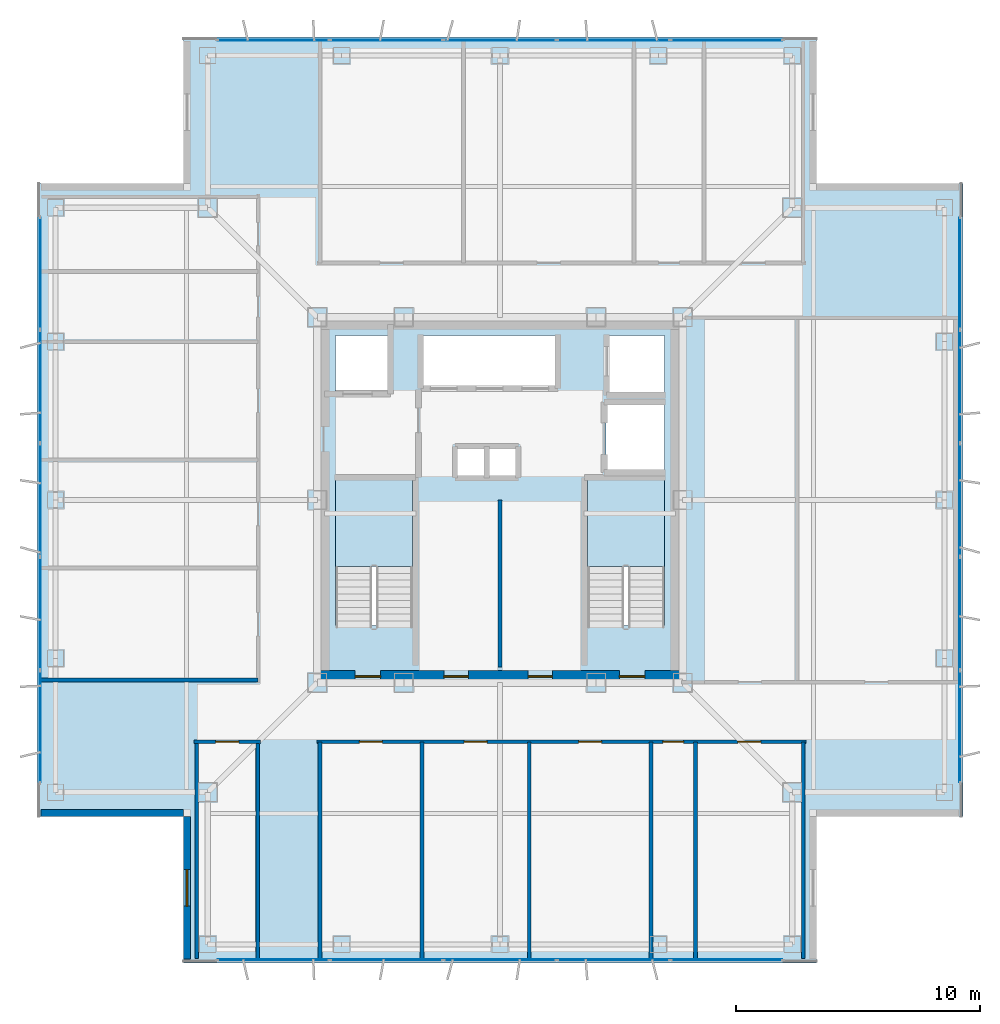
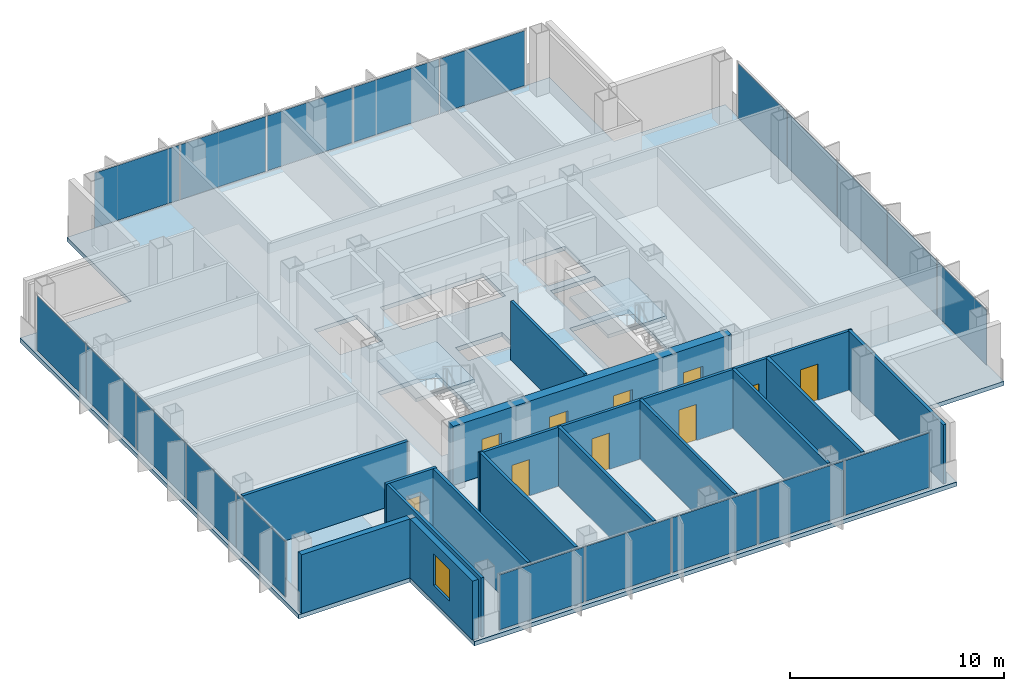
# One storey, part 7 of 15: 20 plates, 15 walls, 10 doors, 3 slabs, 1 window, 11 openings, 6 elements without a shape of their own.
"""IFC4 building model written with IfcOpenShell, lengths in metres."""

from ifc_helpers import new_model, si_unit, direction, frame, frame_2d, origin, origin_2d, place, context, subcontext, project, spatial, polyline, rectangle, outline, extrude, material, layer, layer_set, type_object, element, fill, aggregate, save


model = new_model("IFC4")

# Units and contexts
model_context = context("Model", 3, precision=1e-05, world=origin(), true_north=direction((0.0, 1.0)))
body_context = subcontext(model_context, "Body", "Model", "MODEL_VIEW")
ifc_project = project(units=[si_unit("LENGTHUNIT", "METRE"), si_unit("AREAUNIT", "SQUARE_METRE"), si_unit("VOLUMEUNIT", "CUBIC_METRE"), si_unit("PLANEANGLEUNIT", "RADIAN"), si_unit("MASSUNIT", "GRAM", prefix="KILO")], contexts=[model_context])

# Site, building, storey
site_placement = place(None, origin())
site = spatial("IfcSite", under=ifc_project, at=site_placement, CompositionType="ELEMENT")
building_placement = place(site_placement, origin())
building = spatial("IfcBuilding", under=site, at=building_placement, Name="Trevonay Congress Spire", CompositionType="ELEMENT")
storey_placement = place(building_placement, frame((0.0, 0.0, 239.60009765625)))
storey = spatial("IfcBuildingStorey", under=building, at=storey_placement, Name="L62", CompositionType="ELEMENT", Elevation=239.60009765625)

# Curtain wall, plates
ifc_material_1 = material(Name="Pale Anodised Aluminium EN AW-6063-T6", Category="aluminium")
ifc_layer_1 = layer(ifc_material_1, 0.1650390625, Name="Pale Anodised Aluminium EN AW-6063-T6")
ifc_layer_set_1 = layer_set([ifc_layer_1], Name="Pale Anodised Aluminium EN AW-6063-T6")
curtain_wall_type = type_object("IfcCurtainWallType", Name="CW-SYS05-DIPLOM-PALE-METAL", PredefinedType="NOTDEFINED", material=ifc_layer_set_1)
curtain_wall_1_placement = place(storey_placement, origin())
curtain_wall_1 = element("IfcCurtainWall", 1, at=curtain_wall_1_placement, inside=storey, type_object=curtain_wall_type, Name="L62 S unitised curtain wall", PredefinedType="NOTDEFINED")
ifc_material_2 = material(Name="Insulated Low-E Vision Glass IGU", Category="glass")
ifc_layer_2 = layer(ifc_material_2, 0.035888671875, Name="Insulated Low-E Vision Glass IGU")
ifc_layer_set_2 = layer_set([ifc_layer_2], Name="Insulated Low-E Vision Glass IGU")
plate_type = type_object("IfcPlateType", Name="CW-PANEL-IGU36-SILVER", PredefinedType="CURTAIN_PANEL", material=ifc_layer_set_2)
plate_1_placement = place(storey_placement, frame((-9.304931640625, -18.8798828125, 0.119873046875), z_axis=(0.0, 0.0, 1.0), x_axis=(1.0, 0.0, 0.0)))
plate_1 = element("IfcPlate", 2, at=plate_1_placement, type_object=plate_type, Name="CW05 panel 1.1", PredefinedType="CURTAIN_PANEL", context=body_context, shape_type="SweptSolid", body=[
    extrude(rectangle(XDim=4.570068359375, YDim=0.035888671875, at=origin_2d()), origin(), (0.0, 0.0, 1.0), 3.1201171875),
])
plate_2_placement = place(storey_placement, frame((-4.659912109375, -18.8798828125, 0.119873046875), z_axis=(0.0, 0.0, 1.0), x_axis=(1.0, 0.0, 0.0)))
plate_2 = element("IfcPlate", 3, at=plate_2_placement, type_object=plate_type, Name="CW05 panel 2.1", PredefinedType="CURTAIN_PANEL", context=body_context, shape_type="SweptSolid", body=[
    extrude(rectangle(XDim=4.60009765625, YDim=0.035888671875, at=origin_2d()), origin(), (0.0, 0.0, 1.0), 3.1201171875),
])
plate_3_placement = place(storey_placement, frame((0.0, -18.8798828125, 0.119873046875), z_axis=(0.0, 0.0, 1.0), x_axis=(1.0, 0.0, 0.0)))
plate_3 = element("IfcPlate", 4, at=plate_3_placement, type_object=plate_type, Name="CW05 panel 3.1", PredefinedType="CURTAIN_PANEL", context=body_context, shape_type="SweptSolid", body=[
    extrude(rectangle(XDim=4.60009765625, YDim=0.035888671875, at=origin_2d()), origin(), (0.0, 0.0, 1.0), 3.1201171875),
])
plate_4_placement = place(storey_placement, frame((4.659912109375, -18.8798828125, 0.119873046875), z_axis=(0.0, 0.0, 1.0), x_axis=(1.0, 0.0, 0.0)))
plate_4 = element("IfcPlate", 5, at=plate_4_placement, type_object=plate_type, Name="CW05 panel 4.1", PredefinedType="CURTAIN_PANEL", context=body_context, shape_type="SweptSolid", body=[
    extrude(rectangle(XDim=4.60009765625, YDim=0.035888671875, at=origin_2d()), origin(), (0.0, 0.0, 1.0), 3.1201171875),
])
plate_5_placement = place(storey_placement, frame((9.304931640625, -18.8798828125, 0.119873046875), z_axis=(0.0, 0.0, 1.0), x_axis=(1.0, 0.0, 0.0)))
plate_5 = element("IfcPlate", 6, at=plate_5_placement, type_object=plate_type, Name="CW05 panel 5.1", PredefinedType="CURTAIN_PANEL", context=body_context, shape_type="SweptSolid", body=[
    extrude(rectangle(XDim=4.570068359375, YDim=0.035888671875, at=origin_2d()), origin(), (0.0, 0.0, 1.0), 3.1201171875),
])
aggregate(curtain_wall_1, [plate_1, plate_2, plate_3, plate_4, plate_5])

curtain_wall_2_placement = place(storey_placement, origin())
curtain_wall_2 = element("IfcCurtainWall", 7, at=curtain_wall_2_placement, inside=storey, type_object=curtain_wall_type, Name="L62 N unitised curtain wall", PredefinedType="NOTDEFINED")
plate_6_placement = place(storey_placement, frame((-9.304931640625, 18.8798828125, 0.119873046875), z_axis=(0.0, 0.0, 1.0), x_axis=(1.0, 0.0, 0.0)))
plate_6 = element("IfcPlate", 8, at=plate_6_placement, type_object=plate_type, Name="CW05 panel 1.1", PredefinedType="CURTAIN_PANEL", context=body_context, shape_type="SweptSolid", body=[
    extrude(rectangle(XDim=4.570068359375, YDim=0.035888671875, at=origin_2d()), origin(), (0.0, 0.0, 1.0), 3.1201171875),
])
plate_7_placement = place(storey_placement, frame((-4.659912109375, 18.8798828125, 0.119873046875), z_axis=(0.0, 0.0, 1.0), x_axis=(1.0, 0.0, 0.0)))
plate_7 = element("IfcPlate", 9, at=plate_7_placement, type_object=plate_type, Name="CW05 panel 2.1", PredefinedType="CURTAIN_PANEL", context=body_context, shape_type="SweptSolid", body=[
    extrude(rectangle(XDim=4.60009765625, YDim=0.035888671875, at=origin_2d()), origin(), (0.0, 0.0, 1.0), 3.1201171875),
])
plate_8_placement = place(storey_placement, frame((0.0, 18.8798828125, 0.119873046875), z_axis=(0.0, 0.0, 1.0), x_axis=(1.0, 0.0, 0.0)))
plate_8 = element("IfcPlate", 10, at=plate_8_placement, type_object=plate_type, Name="CW05 panel 3.1", PredefinedType="CURTAIN_PANEL", context=body_context, shape_type="SweptSolid", body=[
    extrude(rectangle(XDim=4.60009765625, YDim=0.035888671875, at=origin_2d()), origin(), (0.0, 0.0, 1.0), 3.1201171875),
])
plate_9_placement = place(storey_placement, frame((4.659912109375, 18.8798828125, 0.119873046875), z_axis=(0.0, 0.0, 1.0), x_axis=(1.0, 0.0, 0.0)))
plate_9 = element("IfcPlate", 11, at=plate_9_placement, type_object=plate_type, Name="CW05 panel 4.1", PredefinedType="CURTAIN_PANEL", context=body_context, shape_type="SweptSolid", body=[
    extrude(rectangle(XDim=4.60009765625, YDim=0.035888671875, at=origin_2d()), origin(), (0.0, 0.0, 1.0), 3.1201171875),
])
plate_10_placement = place(storey_placement, frame((9.304931640625, 18.8798828125, 0.119873046875), z_axis=(0.0, 0.0, 1.0), x_axis=(1.0, 0.0, 0.0)))
plate_10 = element("IfcPlate", 12, at=plate_10_placement, type_object=plate_type, Name="CW05 panel 5.1", PredefinedType="CURTAIN_PANEL", context=body_context, shape_type="SweptSolid", body=[
    extrude(rectangle(XDim=4.570068359375, YDim=0.035888671875, at=origin_2d()), origin(), (0.0, 0.0, 1.0), 3.1201171875),
])
aggregate(curtain_wall_2, [plate_6, plate_7, plate_8, plate_9, plate_10])

curtain_wall_3_placement = place(storey_placement, origin())
curtain_wall_3 = element("IfcCurtainWall", 13, at=curtain_wall_3_placement, inside=storey, type_object=curtain_wall_type, Name="L62 W unitised curtain wall", PredefinedType="NOTDEFINED")
plate_11_placement = place(storey_placement, frame((-18.8798828125, -9.304931640625, 0.119873046875), z_axis=(0.0, 0.0, 1.0), x_axis=(0.0, 1.0, 0.0)))
plate_11 = element("IfcPlate", 14, at=plate_11_placement, type_object=plate_type, Name="CW05 panel 1.1", PredefinedType="CURTAIN_PANEL", context=body_context, shape_type="SweptSolid", body=[
    extrude(rectangle(XDim=4.570068359375, YDim=0.035888671875, at=origin_2d()), origin(), (0.0, 0.0, 1.0), 3.1201171875),
])
plate_12_placement = place(storey_placement, frame((-18.8798828125, -4.659912109375, 0.119873046875), z_axis=(0.0, 0.0, 1.0), x_axis=(0.0, 1.0, 0.0)))
plate_12 = element("IfcPlate", 15, at=plate_12_placement, type_object=plate_type, Name="CW05 panel 2.1", PredefinedType="CURTAIN_PANEL", context=body_context, shape_type="SweptSolid", body=[
    extrude(rectangle(XDim=4.60009765625, YDim=0.035888671875, at=origin_2d()), origin(), (0.0, 0.0, 1.0), 3.1201171875),
])
plate_13_placement = place(storey_placement, frame((-18.8798828125, 0.0, 0.119873046875), z_axis=(0.0, 0.0, 1.0), x_axis=(0.0, 1.0, 0.0)))
plate_13 = element("IfcPlate", 16, at=plate_13_placement, type_object=plate_type, Name="CW05 panel 3.1", PredefinedType="CURTAIN_PANEL", context=body_context, shape_type="SweptSolid", body=[
    extrude(rectangle(XDim=4.60009765625, YDim=0.035888671875, at=origin_2d()), origin(), (0.0, 0.0, 1.0), 3.1201171875),
])
plate_14_placement = place(storey_placement, frame((-18.8798828125, 4.659912109375, 0.119873046875), z_axis=(0.0, 0.0, 1.0), x_axis=(0.0, 1.0, 0.0)))
plate_14 = element("IfcPlate", 17, at=plate_14_placement, type_object=plate_type, Name="CW05 panel 4.1", PredefinedType="CURTAIN_PANEL", context=body_context, shape_type="SweptSolid", body=[
    extrude(rectangle(XDim=4.60009765625, YDim=0.035888671875, at=origin_2d()), origin(), (0.0, 0.0, 1.0), 3.1201171875),
])
plate_15_placement = place(storey_placement, frame((-18.8798828125, 9.304931640625, 0.119873046875), z_axis=(0.0, 0.0, 1.0), x_axis=(0.0, 1.0, 0.0)))
plate_15 = element("IfcPlate", 18, at=plate_15_placement, type_object=plate_type, Name="CW05 panel 5.1", PredefinedType="CURTAIN_PANEL", context=body_context, shape_type="SweptSolid", body=[
    extrude(rectangle(XDim=4.570068359375, YDim=0.035888671875, at=origin_2d()), origin(), (0.0, 0.0, 1.0), 3.1201171875),
])
aggregate(curtain_wall_3, [plate_11, plate_12, plate_13, plate_14, plate_15])

curtain_wall_4_placement = place(storey_placement, origin())
curtain_wall_4 = element("IfcCurtainWall", 19, at=curtain_wall_4_placement, inside=storey, type_object=curtain_wall_type, Name="L62 E unitised curtain wall", PredefinedType="NOTDEFINED")
plate_16_placement = place(storey_placement, frame((18.8798828125, -9.304931640625, 0.119873046875), z_axis=(0.0, 0.0, 1.0), x_axis=(0.0, 1.0, 0.0)))
plate_16 = element("IfcPlate", 20, at=plate_16_placement, type_object=plate_type, Name="CW05 panel 1.1", PredefinedType="CURTAIN_PANEL", context=body_context, shape_type="SweptSolid", body=[
    extrude(rectangle(XDim=4.570068359375, YDim=0.035888671875, at=origin_2d()), origin(), (0.0, 0.0, 1.0), 3.1201171875),
])
plate_17_placement = place(storey_placement, frame((18.8798828125, -4.659912109375, 0.119873046875), z_axis=(0.0, 0.0, 1.0), x_axis=(0.0, 1.0, 0.0)))
plate_17 = element("IfcPlate", 21, at=plate_17_placement, type_object=plate_type, Name="CW05 panel 2.1", PredefinedType="CURTAIN_PANEL", context=body_context, shape_type="SweptSolid", body=[
    extrude(rectangle(XDim=4.60009765625, YDim=0.035888671875, at=origin_2d()), origin(), (0.0, 0.0, 1.0), 3.1201171875),
])
plate_18_placement = place(storey_placement, frame((18.8798828125, 0.0, 0.119873046875), z_axis=(0.0, 0.0, 1.0), x_axis=(0.0, 1.0, 0.0)))
plate_18 = element("IfcPlate", 22, at=plate_18_placement, type_object=plate_type, Name="CW05 panel 3.1", PredefinedType="CURTAIN_PANEL", context=body_context, shape_type="SweptSolid", body=[
    extrude(rectangle(XDim=4.60009765625, YDim=0.035888671875, at=origin_2d()), origin(), (0.0, 0.0, 1.0), 3.1201171875),
])
plate_19_placement = place(storey_placement, frame((18.8798828125, 4.659912109375, 0.119873046875), z_axis=(0.0, 0.0, 1.0), x_axis=(0.0, 1.0, 0.0)))
plate_19 = element("IfcPlate", 23, at=plate_19_placement, type_object=plate_type, Name="CW05 panel 4.1", PredefinedType="CURTAIN_PANEL", context=body_context, shape_type="SweptSolid", body=[
    extrude(rectangle(XDim=4.60009765625, YDim=0.035888671875, at=origin_2d()), origin(), (0.0, 0.0, 1.0), 3.1201171875),
])
plate_20_placement = place(storey_placement, frame((18.8798828125, 9.304931640625, 0.119873046875), z_axis=(0.0, 0.0, 1.0), x_axis=(0.0, 1.0, 0.0)))
plate_20 = element("IfcPlate", 24, at=plate_20_placement, type_object=plate_type, Name="CW05 panel 5.1", PredefinedType="CURTAIN_PANEL", context=body_context, shape_type="SweptSolid", body=[
    extrude(rectangle(XDim=4.570068359375, YDim=0.035888671875, at=origin_2d()), origin(), (0.0, 0.0, 1.0), 3.1201171875),
])
aggregate(curtain_wall_4, [plate_16, plate_17, plate_18, plate_19, plate_20])

# Stair, slab
ifc_material_3 = material(Name="Concrete C40/50", Category="concrete")
stair_type_1 = type_object("IfcStairType", Name="STR-ST-1", PredefinedType="HALF_TURN_STAIR", material=ifc_material_3)
stair_1_placement = place(storey_placement, origin())
stair_1 = element("IfcStair", 25, at=stair_1_placement, inside=storey, type_object=stair_type_1, Name="L62 Protected Exit Stair ST-1", PredefinedType="HALF_TURN_STAIR")
ifc_layer_3 = layer(ifc_material_3, 0.199951171875, Name="Concrete C40/50")
ifc_layer_set_3 = layer_set([ifc_layer_3], Name="Concrete C40/50")
slab_type_1 = type_object("IfcSlabType", Name="SLB-STAIR-LAND-200", PredefinedType="LANDING", material=ifc_layer_set_3)
slab_1_placement = place(storey_placement, frame((0.0, 0.0, 1.599853515625)))
slab_1 = element("IfcSlab", 26, at=slab_1_placement, type_object=slab_type_1, Name="ST-1 landing 1", PredefinedType="LANDING", context=body_context, shape_type="SweptSolid", body=[
    extrude(outline(polyline([(-3.60009765625, -2.72998046875), (-3.60009765625, 0.85009765625), (-6.75, 0.85009765625), (-6.75, -2.72998046875), (-3.60009765625, -2.72998046875)])), origin(), (0.0, 0.0, 1.0), 0.199951171875),
])
aggregate(stair_1, [slab_1])

stair_type_2 = type_object("IfcStairType", Name="STR-ST-2", PredefinedType="HALF_TURN_STAIR", material=ifc_material_3)
stair_2_placement = place(storey_placement, origin())
stair_2 = element("IfcStair", 27, at=stair_2_placement, inside=storey, type_object=stair_type_2, Name="L62 Protected Exit Stair ST-2", PredefinedType="HALF_TURN_STAIR")
slab_2_placement = place(storey_placement, frame((0.0, 0.0, 1.599853515625)))
slab_2 = element("IfcSlab", 28, at=slab_2_placement, type_object=slab_type_1, Name="ST-2 landing 1", PredefinedType="LANDING", context=body_context, shape_type="SweptSolid", body=[
    extrude(outline(polyline([(6.75, -2.72998046875), (6.75, 0.85009765625), (3.60009765625, 0.85009765625), (3.60009765625, -2.72998046875), (6.75, -2.72998046875)])), origin(), (0.0, 0.0, 1.0), 0.199951171875),
])
aggregate(stair_2, [slab_2])

# Slab
ifc_layer_4 = layer(ifc_material_3, 0.239990234375, Name="Concrete C40/50")
ifc_layer_set_4 = layer_set([ifc_layer_4], Name="Concrete C40/50")
slab_type_2 = type_object("IfcSlabType", Name="SLB-TOW2-240", PredefinedType="FLOOR", material=ifc_layer_set_4)
slab_3_placement = place(storey_placement, frame((0.0, 0.0, -0.239990234375)))
element("IfcSlab", 29, at=slab_3_placement, inside=storey, type_object=slab_type_2, Name="L62 structural floor slab", PredefinedType="FLOOR", context=body_context, shape_type="SweptSolid", body=[
    extrude(outline(polyline([(-13.0, -19.0), (13.0, -19.0), (13.0, -13.0), (19.0, -13.0), (19.0, 13.0), (13.0, 13.0), (13.0, 19.0), (-13.0, 19.0), (-13.0, 13.0), (-19.0, 13.0), (-19.0, -13.0), (-13.0, -13.0), (-13.0, -19.0)]), holes=[polyline([(-3.60009765625, -5.14990234375), (-3.60009765625, 0.85009765625), (-6.75, 0.85009765625), (-6.75, -5.14990234375), (-3.60009765625, -5.14990234375)]), polyline([(6.75, -5.14990234375), (6.75, 0.85009765625), (3.60009765625, 0.85009765625), (3.60009765625, -5.14990234375), (6.75, -5.14990234375)]), polyline([(-3.199951171875, 4.64990234375), (2.340087890625, 4.64990234375), (2.340087890625, 6.75), (-3.199951171875, 6.75), (-3.199951171875, 4.64990234375)]), polyline([(-6.75, 4.35009765625), (-4.449951171875, 4.35009765625), (-4.449951171875, 6.75), (-6.75, 6.75), (-6.75, 4.35009765625)]), polyline([(4.449951171875, 4.35009765625), (6.75, 4.35009765625), (6.75, 6.75), (4.449951171875, 6.75), (4.449951171875, 4.35009765625)]), polyline([(4.35009765625, 1.199951171875), (6.75, 1.199951171875), (6.75, 3.949951171875), (4.35009765625, 3.949951171875), (4.35009765625, 1.199951171875)]), polyline([(-1.800048828125, 0.949951171875), (0.699951171875, 0.949951171875), (0.699951171875, 2.14990234375), (-1.800048828125, 2.14990234375), (-1.800048828125, 0.949951171875)])]), origin(), (0.0, 0.0, 1.0), 0.239990234375),
])

# Wall, openings, doors
ifc_material_4 = material(Name="Concrete C50/60", Category="concrete")
ifc_layer_5 = layer(ifc_material_4, 0.5, Name="Concrete C50/60")
ifc_layer_set_5 = layer_set([ifc_layer_5], Name="Concrete C50/60")
wall_type_1 = type_object("IfcWallType", Name="WAL-CORE-500", PredefinedType="SHEAR", material=ifc_layer_set_5)
wall_1_placement = place(storey_placement, frame((-7.5, -7.25, 0.0), z_axis=(0.0, 0.0, 1.0), x_axis=(1.0, 0.0, 0.0)))
wall_1 = element("IfcWall", 30, at=wall_1_placement, inside=storey, type_object=wall_type_1, Name="L62 South structural core shear wall", PredefinedType="SHEAR", context=body_context, shape_type="SweptSolid", body=[
    extrude(rectangle(XDim=15.0, YDim=0.5, at=frame_2d((7.5, 0.0))), origin(), (0.0, 0.0, 1.0), 3.35986328125),
])
opening_1_placement = place(wall_1_placement, frame((1.550048828125, 0.0, 0.0)))
opening_1 = element("IfcOpeningElement", 31, at=opening_1_placement, cuts=wall_1, Name="Opening D05", PredefinedType="OPENING", context=body_context, shape_type="SweptSolid", body=[
    extrude(rectangle(XDim=1.050048828125, YDim=2.080078125, at=frame_2d((0.52490234375, 1.0400390625))), frame((0.0, 0.260009765625, 0.0), z_axis=(0.0, -1.0, 0.0), x_axis=(1.0, 0.0, 0.0)), (0.0, 0.0, 1.0), 0.52001953125),
])
opening_2_placement = place(wall_1_placement, frame((12.39990234375, 0.0, 0.0)))
opening_2 = element("IfcOpeningElement", 32, at=opening_2_placement, cuts=wall_1, Name="Opening D05", PredefinedType="OPENING", context=body_context, shape_type="SweptSolid", body=[
    extrude(rectangle(XDim=1.050048828125, YDim=2.080078125, at=frame_2d((0.52490234375, 1.0400390625))), frame((0.0, 0.260009765625, 0.0), z_axis=(0.0, -1.0, 0.0), x_axis=(1.0, 0.0, 0.0)), (0.0, 0.0, 1.0), 0.52001953125),
])
opening_3_placement = place(wall_1_placement, frame((5.199951171875, 0.0, 0.0)))
opening_3 = element("IfcOpeningElement", 33, at=opening_3_placement, cuts=wall_1, Name="Opening D06", PredefinedType="OPENING", context=body_context, shape_type="SweptSolid", body=[
    extrude(rectangle(XDim=1.0, YDim=2.080078125, at=frame_2d((0.5, 1.0400390625))), frame((0.0, 0.260009765625, 0.0), z_axis=(0.0, -1.0, 0.0), x_axis=(1.0, 0.0, 0.0)), (0.0, 0.0, 1.0), 0.52001953125),
])
opening_4_placement = place(wall_1_placement, frame((8.64990234375, 0.0, 0.0)))
opening_4 = element("IfcOpeningElement", 34, at=opening_4_placement, cuts=wall_1, Name="Opening D06", PredefinedType="OPENING", context=body_context, shape_type="SweptSolid", body=[
    extrude(rectangle(XDim=1.0, YDim=2.080078125, at=frame_2d((0.5, 1.0400390625))), frame((0.0, 0.260009765625, 0.0), z_axis=(0.0, -1.0, 0.0), x_axis=(1.0, 0.0, 0.0)), (0.0, 0.0, 1.0), 0.52001953125),
])
ifc_material_5 = material(Name="Steel ASTM A572 Grade 50", Category="steel")
door_type_1 = type_object("IfcDoorType", Name="DOR-FIRE-100", OperationType="NOTDEFINED", PredefinedType="DOOR", material=ifc_material_5)
door_1_placement = place(opening_3_placement, origin())
door_1 = element("IfcDoor", 35, at=door_1_placement, inside=storey, type_object=door_type_1, Name="L62 South Core Room 1 Door", OperationType="SINGLE_SWING_RIGHT", OverallHeight=2.080078125, OverallWidth=1.0, PredefinedType="DOOR", context=body_context, shape_type="SweptSolid", body=[
    extrude(rectangle(XDim=1.0, YDim=2.080078125, at=frame_2d((0.5, 1.0400390625))), frame((0.0, 0.02490234375, 0.0), z_axis=(0.0, -1.0, 0.0), x_axis=(1.0, 0.0, 0.0)), (0.0, 0.0, 1.0), 0.050048828125),
])
fill(opening_3, door_1)
door_2_placement = place(opening_4_placement, origin())
door_2 = element("IfcDoor", 36, at=door_2_placement, inside=storey, type_object=door_type_1, Name="L62 South Core Room 2 Door", OperationType="SINGLE_SWING_LEFT", OverallHeight=2.080078125, OverallWidth=1.0, PredefinedType="DOOR", context=body_context, shape_type="SweptSolid", body=[
    extrude(rectangle(XDim=1.0, YDim=2.080078125, at=frame_2d((0.5, 1.0400390625))), frame((0.0, 0.02490234375, 0.0), z_axis=(0.0, -1.0, 0.0), x_axis=(1.0, 0.0, 0.0)), (0.0, 0.0, 1.0), 0.050048828125),
])
fill(opening_4, door_2)
door_type_2 = type_object("IfcDoorType", Name="DOR-STAIR-110", OperationType="NOTDEFINED", PredefinedType="DOOR", material=ifc_material_5)
door_3_placement = place(opening_1_placement, origin())
door_3 = element("IfcDoor", 37, at=door_3_placement, inside=storey, type_object=door_type_2, Name="L62 Protected Stair ST-1 Door", OperationType="SINGLE_SWING_LEFT", OverallHeight=2.080078125, OverallWidth=1.050048828125, PredefinedType="DOOR", context=body_context, shape_type="SweptSolid", body=[
    extrude(rectangle(XDim=1.050048828125, YDim=2.080078125, at=frame_2d((0.52490234375, 1.0400390625))), frame((0.0, 0.02490234375, 0.0), z_axis=(0.0, -1.0, 0.0), x_axis=(1.0, 0.0, 0.0)), (0.0, 0.0, 1.0), 0.050048828125),
])
fill(opening_1, door_3)
door_4_placement = place(opening_2_placement, origin())
door_4 = element("IfcDoor", 38, at=door_4_placement, inside=storey, type_object=door_type_2, Name="L62 Protected Stair ST-2 Door", OperationType="SINGLE_SWING_RIGHT", OverallHeight=2.080078125, OverallWidth=1.050048828125, PredefinedType="DOOR", context=body_context, shape_type="SweptSolid", body=[
    extrude(rectangle(XDim=1.050048828125, YDim=2.080078125, at=frame_2d((0.52490234375, 1.0400390625))), frame((0.0, 0.02490234375, 0.0), z_axis=(0.0, -1.0, 0.0), x_axis=(1.0, 0.0, 0.0)), (0.0, 0.0, 1.0), 0.050048828125),
])
fill(opening_2, door_4)

# Wall, opening, door
ifc_layer_6 = layer(ifc_material_3, 0.14990234375, Name="Concrete C40/50")
ifc_layer_set_6 = layer_set([ifc_layer_6], Name="Concrete C40/50")
wall_type_2 = type_object("IfcWallType", Name="WAL-CORR-150", PredefinedType="PARTITIONING", material=ifc_layer_set_6)
wall_2_placement = place(storey_placement, frame((-12.570068359375, -9.929931640625, 0.0), z_axis=(0.0, 0.0, 1.0), x_axis=(1.0, 0.0, 0.0)))
wall_2 = element("IfcWall", 39, at=wall_2_placement, inside=storey, type_object=wall_type_2, Name="L62 interior wall WP-L62SW-COR", PredefinedType="PARTITIONING", context=body_context, shape_type="SweptSolid", body=[
    extrude(rectangle(XDim=2.739990234375, YDim=0.14990234375, at=frame_2d((1.3701171875, 0.0))), origin(), (0.0, 0.0, 1.0), 3.35986328125),
])
opening_5_placement = place(wall_2_placement, frame((0.89501953125, 0.0, 0.0)))
opening_5 = element("IfcOpeningElement", 40, at=opening_5_placement, cuts=wall_2, Name="Opening D07", PredefinedType="OPENING", context=body_context, shape_type="SweptSolid", body=[
    extrude(rectangle(XDim=0.949951171875, YDim=2.06005859375, at=frame_2d((0.47509765625, 1.030029296875))), frame((0.0, 0.0849609375, 0.0), z_axis=(0.0, -1.0, 0.0), x_axis=(1.0, 0.0, 0.0)), (0.0, 0.0, 1.0), 0.169921875),
])
door_type_3 = type_object("IfcDoorType", Name="DOR-OFFICE-95", OperationType="NOTDEFINED", PredefinedType="DOOR", material=ifc_material_1)
door_5_placement = place(opening_5_placement, origin())
door_5 = element("IfcDoor", 41, at=door_5_placement, inside=storey, type_object=door_type_3, Name="L62 Ambassador Corner Office Door", OperationType="SINGLE_SWING_LEFT", OverallHeight=2.06005859375, OverallWidth=0.949951171875, PredefinedType="DOOR", context=body_context, shape_type="SweptSolid", body=[
    extrude(rectangle(XDim=0.949951171875, YDim=2.06005859375, at=frame_2d((0.47509765625, 1.030029296875))), frame((0.0, 0.02490234375, 0.0), z_axis=(0.0, -1.0, 0.0), x_axis=(1.0, 0.0, 0.0)), (0.0, 0.0, 1.0), 0.050048828125),
])
fill(opening_5, door_5)

# Wall, openings, doors
wall_3_placement = place(storey_placement, frame((-7.52001953125, -9.929931640625, 0.0), z_axis=(0.0, 0.0, 1.0), x_axis=(1.0, 0.0, 0.0)))
wall_3 = element("IfcWall", 42, at=wall_3_placement, inside=storey, type_object=wall_type_2, Name="L62 interior wall WP-L62SE-COR", PredefinedType="PARTITIONING", context=body_context, shape_type="SweptSolid", body=[
    extrude(rectangle(XDim=20.090087890625, YDim=0.14990234375, at=frame_2d((10.044921875, 0.0))), origin(), (0.0, 0.0, 1.0), 3.35986328125),
])
opening_6_placement = place(wall_3_placement, frame((1.7451171875, 0.0, 0.0)))
opening_6 = element("IfcOpeningElement", 43, at=opening_6_placement, cuts=wall_3, Name="Opening D07", PredefinedType="OPENING", context=body_context, shape_type="SweptSolid", body=[
    extrude(rectangle(XDim=0.949951171875, YDim=2.06005859375, at=frame_2d((0.47509765625, 1.030029296875))), frame((0.0, 0.0849609375, 0.0), z_axis=(0.0, -1.0, 0.0), x_axis=(1.0, 0.0, 0.0)), (0.0, 0.0, 1.0), 0.169921875),
])
opening_7_placement = place(wall_3_placement, frame((6.044921875, 0.0, 0.0)))
opening_7 = element("IfcOpeningElement", 44, at=opening_7_placement, cuts=wall_3, Name="Opening D07", PredefinedType="OPENING", context=body_context, shape_type="SweptSolid", body=[
    extrude(rectangle(XDim=0.949951171875, YDim=2.06005859375, at=frame_2d((0.47509765625, 1.030029296875))), frame((0.0, 0.0849609375, 0.0), z_axis=(0.0, -1.0, 0.0), x_axis=(1.0, 0.0, 0.0)), (0.0, 0.0, 1.0), 0.169921875),
])
opening_8_placement = place(wall_3_placement, frame((10.7451171875, 0.0, 0.0)))
opening_8 = element("IfcOpeningElement", 45, at=opening_8_placement, cuts=wall_3, Name="Opening D07", PredefinedType="OPENING", context=body_context, shape_type="SweptSolid", body=[
    extrude(rectangle(XDim=0.949951171875, YDim=2.06005859375, at=frame_2d((0.47509765625, 1.030029296875))), frame((0.0, 0.0849609375, 0.0), z_axis=(0.0, -1.0, 0.0), x_axis=(1.0, 0.0, 0.0)), (0.0, 0.0, 1.0), 0.169921875),
])
opening_9_placement = place(wall_3_placement, frame((14.2099609375, 0.0, 0.0)))
opening_9 = element("IfcOpeningElement", 46, at=opening_9_placement, cuts=wall_3, Name="Opening D10", PredefinedType="OPENING", context=body_context, shape_type="SweptSolid", body=[
    extrude(rectangle(XDim=0.85009765625, YDim=2.050048828125, at=frame_2d((0.425048828125, 1.02490234375))), frame((0.0, 0.0849609375, 0.0), z_axis=(0.0, -1.0, 0.0), x_axis=(1.0, 0.0, 0.0)), (0.0, 0.0, 1.0), 0.169921875),
])
opening_10_placement = place(wall_3_placement, frame((17.284912109375, 0.0, 0.0)))
opening_10 = element("IfcOpeningElement", 47, at=opening_10_placement, cuts=wall_3, Name="Opening D07", PredefinedType="OPENING", context=body_context, shape_type="SweptSolid", body=[
    extrude(rectangle(XDim=0.949951171875, YDim=2.06005859375, at=frame_2d((0.47509765625, 1.030029296875))), frame((0.0, 0.0849609375, 0.0), z_axis=(0.0, -1.0, 0.0), x_axis=(1.0, 0.0, 0.0)), (0.0, 0.0, 1.0), 0.169921875),
])
door_6_placement = place(opening_6_placement, origin())
door_6 = element("IfcDoor", 48, at=door_6_placement, inside=storey, type_object=door_type_3, Name="L62 Consular Visa Office Door", OperationType="SINGLE_SWING_RIGHT", OverallHeight=2.06005859375, OverallWidth=0.949951171875, PredefinedType="DOOR", context=body_context, shape_type="SweptSolid", body=[
    extrude(rectangle(XDim=0.949951171875, YDim=2.06005859375, at=frame_2d((0.47509765625, 1.030029296875))), frame((0.0, 0.02490234375, 0.0), z_axis=(0.0, -1.0, 0.0), x_axis=(1.0, 0.0, 0.0)), (0.0, 0.0, 1.0), 0.050048828125),
])
fill(opening_6, door_6)
door_7_placement = place(opening_7_placement, origin())
door_7 = element("IfcDoor", 49, at=door_7_placement, inside=storey, type_object=door_type_3, Name="L62 Political Chancery Office Door", OperationType="SINGLE_SWING_LEFT", OverallHeight=2.06005859375, OverallWidth=0.949951171875, PredefinedType="DOOR", context=body_context, shape_type="SweptSolid", body=[
    extrude(rectangle(XDim=0.949951171875, YDim=2.06005859375, at=frame_2d((0.47509765625, 1.030029296875))), frame((0.0, 0.02490234375, 0.0), z_axis=(0.0, -1.0, 0.0), x_axis=(1.0, 0.0, 0.0)), (0.0, 0.0, 1.0), 0.050048828125),
])
fill(opening_7, door_7)
door_8_placement = place(opening_8_placement, origin())
door_8 = element("IfcDoor", 50, at=door_8_placement, inside=storey, type_object=door_type_3, Name="L62 Economic Attache Office Door", OperationType="SINGLE_SWING_RIGHT", OverallHeight=2.06005859375, OverallWidth=0.949951171875, PredefinedType="DOOR", context=body_context, shape_type="SweptSolid", body=[
    extrude(rectangle(XDim=0.949951171875, YDim=2.06005859375, at=frame_2d((0.47509765625, 1.030029296875))), frame((0.0, 0.02490234375, 0.0), z_axis=(0.0, -1.0, 0.0), x_axis=(1.0, 0.0, 0.0)), (0.0, 0.0, 1.0), 0.050048828125),
])
fill(opening_8, door_8)
door_9_placement = place(opening_10_placement, origin())
door_9 = element("IfcDoor", 51, at=door_9_placement, inside=storey, type_object=door_type_3, Name="L62 Floor Supplies and Copy Room Door", OperationType="SINGLE_SWING_RIGHT", OverallHeight=2.06005859375, OverallWidth=0.949951171875, PredefinedType="DOOR", context=body_context, shape_type="SweptSolid", body=[
    extrude(rectangle(XDim=0.949951171875, YDim=2.06005859375, at=frame_2d((0.47509765625, 1.030029296875))), frame((0.0, 0.02490234375, 0.0), z_axis=(0.0, -1.0, 0.0), x_axis=(1.0, 0.0, 0.0)), (0.0, 0.0, 1.0), 0.050048828125),
])
fill(opening_10, door_9)
door_type_4 = type_object("IfcDoorType", Name="DOR-WC-85", OperationType="NOTDEFINED", PredefinedType="DOOR", material=ifc_material_1)
door_10_placement = place(opening_9_placement, origin())
door_10 = element("IfcDoor", 52, at=door_10_placement, inside=storey, type_object=door_type_4, Name="L62 Accessible WC Door", OperationType="SINGLE_SWING_LEFT", OverallHeight=2.050048828125, OverallWidth=0.85009765625, PredefinedType="DOOR", context=body_context, shape_type="SweptSolid", body=[
    extrude(rectangle(XDim=0.85009765625, YDim=2.050048828125, at=frame_2d((0.425048828125, 1.02490234375))), frame((0.0, 0.02490234375, 0.0), z_axis=(0.0, -1.0, 0.0), x_axis=(1.0, 0.0, 0.0)), (0.0, 0.0, 1.0), 0.050048828125),
])
fill(opening_9, door_10)

# Wall, opening, window
ifc_material_6 = material(Name="Precast concrete C40/50", Category="concrete")
ifc_layer_7 = layer(ifc_material_6, 0.300048828125, Name="Precast concrete C40/50")
ifc_layer_set_7 = layer_set([ifc_layer_7], Name="Precast concrete C40/50")
wall_type_3 = type_object("IfcWallType", Name="WAL-EXT-PRECAST-300", PredefinedType="SOLIDWALL", material=ifc_layer_set_7)
wall_4_placement = place(storey_placement, frame((-12.85009765625, -18.85009765625, 0.0), z_axis=(0.0, 0.0, 1.0), x_axis=(0.0, 1.0, 0.0)))
wall_4 = element("IfcWall", 53, at=wall_4_placement, inside=storey, type_object=wall_type_3, Name="L62 SW re-entrant notch exterior wall 1", PredefinedType="SOLIDWALL", context=body_context, shape_type="SweptSolid", body=[
    extrude(rectangle(XDim=5.85009765625, YDim=0.300048828125, at=frame_2d((2.925048828125, 0.0))), origin(), (0.0, 0.0, 1.0), 3.35986328125),
])
opening_11_placement = place(wall_4_placement, frame((2.175048828125, 0.0, 0.89990234375)))
opening_11 = element("IfcOpeningElement", 54, at=opening_11_placement, cuts=wall_4, Name="Opening WN03", PredefinedType="OPENING", context=body_context, shape_type="SweptSolid", body=[
    extrude(rectangle(XDim=1.5, YDim=1.800048828125, at=frame_2d((0.75, 0.89990234375))), frame((0.0, 0.16015625, 0.0), z_axis=(0.0, -1.0, 0.0), x_axis=(1.0, 0.0, 0.0)), (0.0, 0.0, 1.0), 0.320068359375),
])
window_type = type_object("IfcWindowType", Name="WIN-NOTCH-150X180", PartitioningType="SINGLE_PANEL", PredefinedType="WINDOW", material=ifc_material_2)
window_placement = place(opening_11_placement, origin())
window = element("IfcWindow", 55, at=window_placement, inside=storey, type_object=window_type, Name="L62 SW corner notch window", OverallHeight=1.800048828125, OverallWidth=1.5, PartitioningType="SINGLE_PANEL", PredefinedType="WINDOW", context=body_context, shape_type="SweptSolid", body=[
    extrude(rectangle(XDim=1.5, YDim=1.800048828125, at=frame_2d((0.75, 0.89990234375))), frame((0.0, 0.030029296875, 0.0), z_axis=(0.0, -1.0, 0.0), x_axis=(1.0, 0.0, 0.0)), (0.0, 0.0, 1.0), 0.06005859375),
])
fill(opening_11, window)

# Walls
wall_5_placement = place(storey_placement, frame((-18.85009765625, -12.85009765625, 0.0), z_axis=(0.0, 0.0, 1.0), x_axis=(1.0, 0.0, 0.0)))
element("IfcWall", 56, at=wall_5_placement, inside=storey, type_object=wall_type_3, Name="L62 SW re-entrant notch exterior wall 2", PredefinedType="SOLIDWALL", context=body_context, shape_type="SweptSolid", body=[
    extrude(rectangle(XDim=5.85009765625, YDim=0.300048828125, at=frame_2d((2.925048828125, 0.0))), origin(), (0.0, 0.0, 1.0), 3.35986328125),
])
ifc_layer_8 = layer(ifc_material_3, 0.14990234375, Name="Concrete C40/50")
ifc_layer_set_8 = layer_set([ifc_layer_8], Name="Concrete C40/50")
wall_type_4 = type_object("IfcWallType", Name="WAL-PART-150", PredefinedType="PARTITIONING", material=ifc_layer_set_8)
wall_6_placement = place(storey_placement, frame((0.0, -6.85009765625, 0.0), z_axis=(0.0, 0.0, 1.0), x_axis=(0.0, 1.0, 0.0)))
element("IfcWall", 57, at=wall_6_placement, inside=storey, type_object=wall_type_4, Name="L62 interior wall CW-F0-L62", PredefinedType="PARTITIONING", context=body_context, shape_type="SweptSolid", body=[
    extrude(rectangle(XDim=6.85009765625, YDim=0.14990234375, at=frame_2d((3.425048828125, 0.0))), origin(), (0.0, 0.0, 1.0), 3.35986328125),
])
for number, where, z_axis, x_axis, name in (
    (58, (-12.449951171875, -18.820068359375, 0.0), (0.0, 0.0, 1.0), (0.0, 1.0, 0.0), "L62 interior wall WP-L62SW-DIV1"),
    (59, (-9.949951171875, -18.820068359375, 0.0), (0.0, 0.0, 1.0), (0.0, 1.0, 0.0), "L62 interior wall WP-L62SW-DIV2"),
    (60, (1.199951171875, -18.820068359375, 0.0), (0.0, 0.0, 1.0), (0.0, 1.0, 0.0), "L62 interior wall WP-L62SE-DIV3"),
    (61, (6.199951171875, -18.820068359375, 0.0), (0.0, 0.0, 1.0), (0.0, 1.0, 0.0), "L62 interior wall WP-L62SE-DIV4"),
    (62, (12.449951171875, -18.820068359375, 0.0), (0.0, 0.0, 1.0), (0.0, 1.0, 0.0), "L62 interior wall WP-L62SE-DIV5"),
):
    element("IfcWall", number, at=place(storey_placement, frame(where, z_axis=z_axis, x_axis=x_axis)), inside=storey, type_object=wall_type_4, Name=name, PredefinedType="PARTITIONING", context=body_context, shape_type="SweptSolid", body=[
        extrude(rectangle(XDim=8.89013671875, YDim=0.14990234375, at=frame_2d((4.445068359375, 0.0))), origin(), (0.0, 0.0, 1.0), 3.35986328125),
    ])
ifc_layer_9 = layer(ifc_material_3, 0.1650390625, Name="Concrete C40/50")
ifc_layer_set_9 = layer_set([ifc_layer_9], Name="Concrete C40/50")
wall_type_5 = type_object("IfcWallType", Name="WAL-WET-165", PredefinedType="PLUMBINGWALL", material=ifc_layer_set_9)
for number, where, z_axis, x_axis, name in (
    (63, (8.030029296875, -18.820068359375, 0.0), (0.0, 0.0, 1.0), (0.0, 1.0, 0.0), "L62 interior wall WP-L62SE-WCS4"),
    (64, (-7.39990234375, -18.820068359375, 0.0), (0.0, 0.0, 1.0), (0.0, 1.0, 0.0), "L62 interior wall WP-L62SE-DIV1"),
    (65, (-3.199951171875, -18.820068359375, 0.0), (0.0, 0.0, 1.0), (0.0, 1.0, 0.0), "L62 interior wall WP-L62SE-DIV2"),
    (66, (-18.820068359375, -7.39990234375, 0.0), (0.0, 0.0, 1.0), (1.0, 0.0, 0.0), "L62 interior wall WP-L62NW-DIV1"),
):
    element("IfcWall", number, at=place(storey_placement, frame(where, z_axis=z_axis, x_axis=x_axis)), inside=storey, type_object=wall_type_5, Name=name, PredefinedType="PLUMBINGWALL", context=body_context, shape_type="SweptSolid", body=[
        extrude(rectangle(XDim=8.89013671875, YDim=0.1650390625, at=frame_2d((4.445068359375, 0.0))), origin(), (0.0, 0.0, 1.0), 3.35986328125),
    ])

save(model, "model.ifc")
